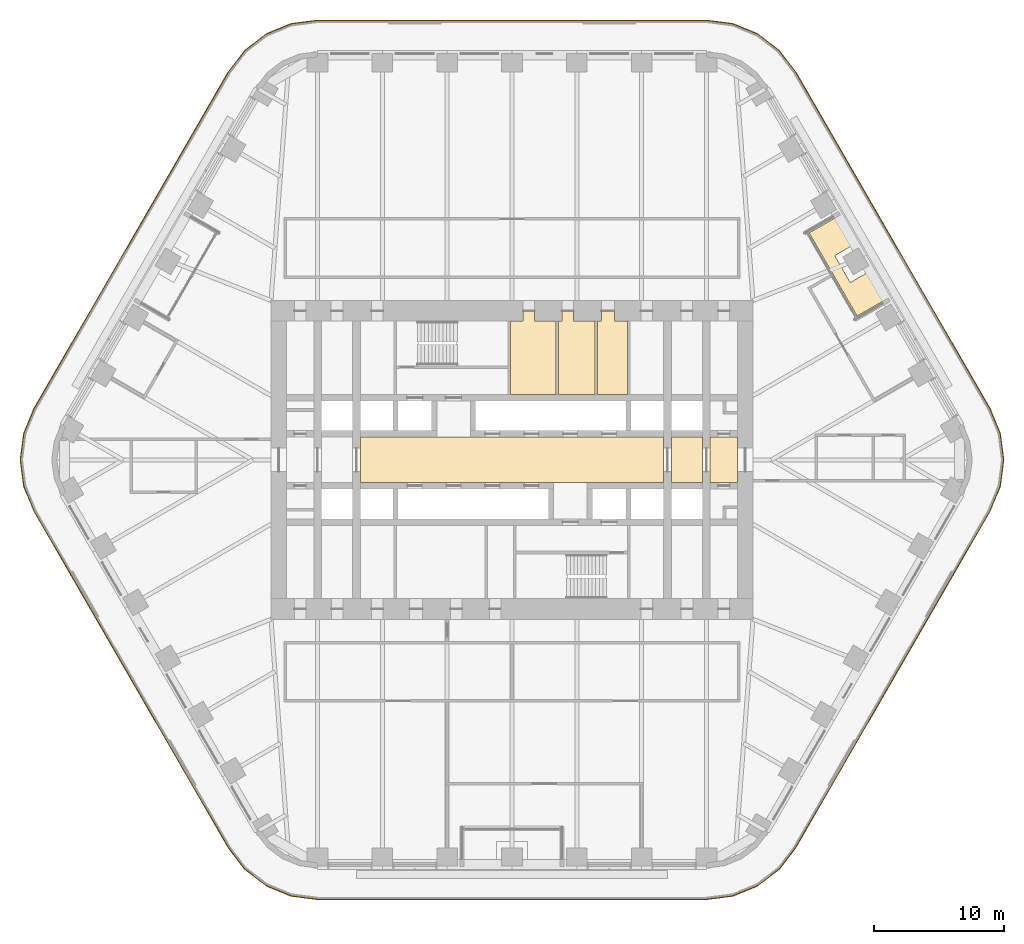
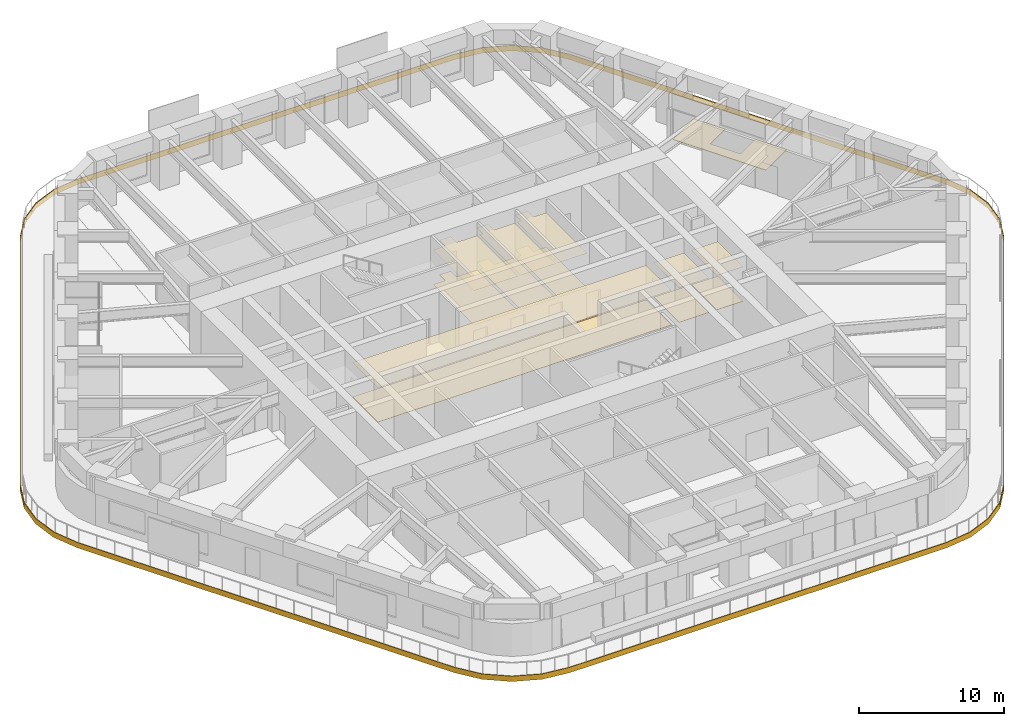
# One storey, part 23 of 24: 14 coverings.
"""IFC4 building model written with IfcOpenShell, lengths in metres."""

from ifc_helpers import new_model, si_unit, direction, frame, origin, place, context, subcontext, project, spatial, polyline, outline, extrude, material, layer, layer_set, type_object, element, save


model = new_model("IFC4")

# Units and contexts
model_context = context("Model", 3, precision=1e-05, world=origin(), true_north=direction((0.0, 1.0)))
body_context = subcontext(model_context, "Body", "Model", "MODEL_VIEW")
ifc_project = project(units=[si_unit("LENGTHUNIT", "METRE"), si_unit("AREAUNIT", "SQUARE_METRE"), si_unit("VOLUMEUNIT", "CUBIC_METRE"), si_unit("PLANEANGLEUNIT", "RADIAN"), si_unit("MASSUNIT", "GRAM", prefix="KILO")], contexts=[model_context])

# Site, building, storey
site_placement = place(None, origin())
site = spatial("IfcSite", under=ifc_project, at=site_placement, CompositionType="ELEMENT")
building_placement = place(site_placement, origin())
building = spatial("IfcBuilding", under=site, at=building_placement, Name="Tarfa Lantern Tower", CompositionType="ELEMENT")
storey_placement = place(building_placement, frame((0.0, 0.0, 178.300048828125)))
storey = spatial("IfcBuildingStorey", under=building, at=storey_placement, Name="L40", CompositionType="ELEMENT", Elevation=178.300048828125)

# Coverings
ifc_material_1 = material(Name="Moisture-resistant plasterboard", Category="finish")
ifc_layer_1 = layer(ifc_material_1, 0.014892578125)
ifc_layer_set_1 = layer_set([ifc_layer_1], Name="CL2 MOISTURE-RESISTANT PLASTERBOARD CEILING 15")
covering_type_1 = type_object("IfcCoveringType", Name="CL2 MOISTURE-RESISTANT PLASTERBOARD CEILING 15", PredefinedType="CEILING", material=ifc_layer_set_1)
covering_1_placement = place(storey_placement, frame((0.0, 0.0, 2.89990234375)))
element("IfcCovering", 1, at=covering_1_placement, inside=storey, type_object=covering_type_1, Name="Ceiling L40-09", PredefinedType="CEILING", context=body_context, shape_type="SweptSolid", body=[
    extrude(outline(polyline([(0.85009765625, 10.699951171875), (-0.10009765625, 10.699951171875), (-0.10009765625, 5.050048828125), (3.39990234375, 5.050048828125), (3.39990234375, 10.699951171875), (1.75, 10.699951171875), (1.75, 11.5), (0.85009765625, 11.5), (0.85009765625, 11.5), (0.85009765625, 10.699951171875)])), origin(), (0.0, 0.0, 1.0), 0.01513671875),
])
covering_2_placement = place(storey_placement, frame((0.0, 0.0, 2.89990234375)))
element("IfcCovering", 2, at=covering_2_placement, inside=storey, type_object=covering_type_1, Name="Ceiling L40-10", PredefinedType="CEILING", context=body_context, shape_type="SweptSolid", body=[
    extrude(outline(polyline([(3.60009765625, 5.050048828125), (6.39990234375, 5.050048828125), (6.39990234375, 10.699951171875), (4.75, 10.699951171875), (4.75, 11.5), (3.85009765625, 11.5), (3.85009765625, 10.699951171875), (3.60009765625, 10.699951171875), (3.60009765625, 5.050048828125)])), origin(), (0.0, 0.0, 1.0), 0.01513671875),
])
covering_3_placement = place(storey_placement, frame((0.0, 0.0, 2.89990234375)))
element("IfcCovering", 3, at=covering_3_placement, inside=storey, type_object=covering_type_1, Name="Ceiling L40-11", PredefinedType="CEILING", context=body_context, shape_type="SweptSolid", body=[
    extrude(outline(polyline([(6.60009765625, 5.050048828125), (8.89990234375, 5.050048828125), (8.89990234375, 10.699951171875), (7.89990234375, 10.699951171875), (7.89990234375, 11.5), (6.89990234375, 11.5), (6.89990234375, 10.699951171875), (6.60009765625, 10.699951171875), (6.60009765625, 5.050048828125)])), origin(), (0.0, 0.0, 1.0), 0.01513671875),
])
ifc_material_2 = material(Name="Powder-coated aluminium panel", Category="aluminium")
ifc_layer_2 = layer(ifc_material_2, 0.030029296875)
ifc_layer_set_2 = layer_set([ifc_layer_2], Name="CL3 METAL PANEL CEILING 30")
covering_type_2 = type_object("IfcCoveringType", Name="CL3 METAL PANEL CEILING 30", PredefinedType="CEILING", material=ifc_layer_set_2)
covering_4_placement = place(storey_placement, frame((0.0, 0.0, 2.89990234375)))
element("IfcCovering", 4, at=covering_4_placement, inside=storey, type_object=covering_type_2, Name="Ceiling L40-03", PredefinedType="CEILING", context=body_context, shape_type="SweptSolid", body=[
    extrude(outline(polyline([(-11.699951171875, -1.75), (11.699951171875, -1.75), (11.699951171875, 1.75), (-11.699951171875, 1.75), (-11.699951171875, -1.75)])), origin(), (0.0, 0.0, 1.0), 0.030029296875),
])
covering_5_placement = place(storey_placement, frame((0.0, 0.0, 2.89990234375)))
element("IfcCovering", 5, at=covering_5_placement, inside=storey, type_object=covering_type_2, Name="Ceiling L40-04", PredefinedType="CEILING", context=body_context, shape_type="SweptSolid", body=[
    extrude(outline(polyline([(12.300048828125, -1.75), (14.699951171875, -1.75), (14.699951171875, 1.75), (12.300048828125, 1.75), (12.300048828125, -1.75)])), origin(), (0.0, 0.0, 1.0), 0.030029296875),
])
covering_6_placement = place(storey_placement, frame((0.0, 0.0, 2.89990234375)))
element("IfcCovering", 6, at=covering_6_placement, inside=storey, type_object=covering_type_2, Name="Ceiling L40-05", PredefinedType="CEILING", context=body_context, shape_type="SweptSolid", body=[
    extrude(outline(polyline([(15.300048828125, -1.75), (17.39990234375, -1.75), (17.39990234375, 1.75), (15.300048828125, 1.75), (15.300048828125, -1.75)])), origin(), (0.0, 0.0, 1.0), 0.030029296875),
])
ifc_material_3 = material(Name="Honed limestone flooring", Category="masonry")
ifc_layer_3 = layer(ifc_material_3, 0.030029296875)
ifc_layer_set_3 = layer_set([ifc_layer_3], Name="FL2 STONE FLOORING 30")
covering_type_3 = type_object("IfcCoveringType", Name="FL2 STONE FLOORING 30", PredefinedType="FLOORING", material=ifc_layer_set_3)
covering_7_placement = place(storey_placement, origin())
element("IfcCovering", 7, at=covering_7_placement, inside=storey, type_object=covering_type_3, Name="Floor finish L40-03", PredefinedType="FLOORING", context=body_context, shape_type="SweptSolid", body=[
    extrude(outline(polyline([(-11.699951171875, -1.75), (11.699951171875, -1.75), (11.699951171875, 1.75), (-11.699951171875, 1.75), (-11.699951171875, -1.75)])), origin(), (0.0, 0.0, 1.0), 0.030029296875),
])
covering_8_placement = place(storey_placement, origin())
element("IfcCovering", 8, at=covering_8_placement, inside=storey, type_object=covering_type_3, Name="Floor finish L40-04", PredefinedType="FLOORING", context=body_context, shape_type="SweptSolid", body=[
    extrude(outline(polyline([(12.300048828125, -1.75), (14.699951171875, -1.75), (14.699951171875, 1.75), (12.300048828125, 1.75), (12.300048828125, -1.75)])), origin(), (0.0, 0.0, 1.0), 0.030029296875),
])
covering_9_placement = place(storey_placement, origin())
element("IfcCovering", 9, at=covering_9_placement, inside=storey, type_object=covering_type_3, Name="Floor finish L40-05", PredefinedType="FLOORING", context=body_context, shape_type="SweptSolid", body=[
    extrude(outline(polyline([(15.300048828125, -1.75), (17.39990234375, -1.75), (17.39990234375, 1.75), (15.300048828125, 1.75), (15.300048828125, -1.75)])), origin(), (0.0, 0.0, 1.0), 0.030029296875),
])
ifc_material_4 = material(Name="Porcelain floor tile", Category="finish")
ifc_layer_4 = layer(ifc_material_4, 0.011962890625)
ifc_layer_set_4 = layer_set([ifc_layer_4], Name="FL3 CERAMIC TILE 12")
covering_type_4 = type_object("IfcCoveringType", Name="FL3 CERAMIC TILE 12", PredefinedType="FLOORING", material=ifc_layer_set_4)
covering_10_placement = place(storey_placement, origin())
element("IfcCovering", 10, at=covering_10_placement, inside=storey, type_object=covering_type_4, Name="Floor finish L40-09", PredefinedType="FLOORING", context=body_context, shape_type="SweptSolid", body=[
    extrude(outline(polyline([(0.85009765625, 10.699951171875), (-0.10009765625, 10.699951171875), (-0.10009765625, 5.050048828125), (3.39990234375, 5.050048828125), (3.39990234375, 10.699951171875), (1.75, 10.699951171875), (1.75, 11.5), (0.85009765625, 11.5), (0.85009765625, 11.5), (0.85009765625, 10.699951171875)])), origin(), (0.0, 0.0, 1.0), 0.011962890625),
])
covering_11_placement = place(storey_placement, origin())
element("IfcCovering", 11, at=covering_11_placement, inside=storey, type_object=covering_type_4, Name="Floor finish L40-10", PredefinedType="FLOORING", context=body_context, shape_type="SweptSolid", body=[
    extrude(outline(polyline([(3.60009765625, 5.050048828125), (6.39990234375, 5.050048828125), (6.39990234375, 10.699951171875), (4.75, 10.699951171875), (4.75, 11.5), (3.85009765625, 11.5), (3.85009765625, 10.699951171875), (3.60009765625, 10.699951171875), (3.60009765625, 5.050048828125)])), origin(), (0.0, 0.0, 1.0), 0.011962890625),
])
covering_12_placement = place(storey_placement, origin())
element("IfcCovering", 12, at=covering_12_placement, inside=storey, type_object=covering_type_4, Name="Floor finish L40-11", PredefinedType="FLOORING", context=body_context, shape_type="SweptSolid", body=[
    extrude(outline(polyline([(6.60009765625, 5.050048828125), (8.89990234375, 5.050048828125), (8.89990234375, 10.699951171875), (7.89990234375, 10.699951171875), (7.89990234375, 11.5), (6.89990234375, 11.5), (6.89990234375, 10.699951171875), (6.60009765625, 10.699951171875), (6.60009765625, 5.050048828125)])), origin(), (0.0, 0.0, 1.0), 0.011962890625),
])
ifc_material_5 = material(Name="Porcelain pavers on pedestals", Category="ceramic")
ifc_layer_5 = layer(ifc_material_5, 0.0400390625)
ifc_layer_set_5 = layer_set([ifc_layer_5], Name="LP1 LOGGIA PAVING 40")
covering_type_5 = type_object("IfcCoveringType", Name="LP1 LOGGIA PAVING 40", PredefinedType="FLOORING", material=ifc_layer_set_5)
covering_13_placement = place(storey_placement, origin())
element("IfcCovering", 13, at=covering_13_placement, inside=storey, type_object=covering_type_5, Name="Loggia paving NE", PredefinedType="FLOORING", context=body_context, shape_type="SweptSolid", body=[
    extrude(outline(polyline([(29.131591796875, 12.54248046875), (26.637451171875, 11.1025390625), (22.933837890625, 17.517578125), (25.427978515625, 18.95751953125), (26.6796875, 16.789306640625), (24.904541015625, 15.76416015625), (26.1044921875, 13.685791015625), (27.8798828125, 14.710693359375), (29.131591796875, 12.54248046875)])), origin(), (0.0, 0.0, 1.0), 0.0400390625),
])
ifc_material_6 = material(Name="Limestone cladding on brackets", Category="masonry")
ifc_layer_6 = layer(ifc_material_6, 0.050048828125)
ifc_layer_set_6 = layer_set([ifc_layer_6], Name="SB1 STONE BAND CLADDING 50")
covering_type_6 = type_object("IfcCoveringType", Name="SB1 STONE BAND CLADDING 50", PredefinedType="CLADDING", material=ifc_layer_set_6)
covering_14_placement = place(storey_placement, frame((0.0, 0.0, -0.400146484375)))
element("IfcCovering", 14, at=covering_14_placement, inside=storey, type_object=covering_type_6, Name="Stone band", PredefinedType="CLADDING", context=body_context, shape_type="SweptSolid", body=[
    extrude(outline(polyline([(36.9072265625, 3.97509765625), (21.89599609375, 29.97509765625), (20.632568359375, 31.62158203125), (18.986083984375, 32.885009765625), (17.068603515625, 33.67919921875), (15.010986328125, 33.949951171875), (-15.010986328125, 33.949951171875), (-17.068603515625, 33.67919921875), (-18.986083984375, 32.885009765625), (-20.632568359375, 31.62158203125), (-21.89599609375, 29.97509765625), (-36.9072265625, 3.97509765625), (-37.701416015625, 2.0576171875), (-37.97216796875, 0.0), (-37.701416015625, -2.0576171875), (-36.9072265625, -3.97509765625), (-21.89599609375, -29.97509765625), (-20.632568359375, -31.62158203125), (-18.986083984375, -32.885009765625), (-17.068603515625, -33.67919921875), (-15.010986328125, -33.949951171875), (15.010986328125, -33.949951171875), (17.068603515625, -33.67919921875), (18.986083984375, -32.885009765625), (20.632568359375, -31.62158203125), (21.89599609375, -29.97509765625), (36.9072265625, -3.97509765625), (37.701416015625, -2.0576171875), (37.97216796875, 0.0), (37.701416015625, 2.0576171875), (36.9072265625, 3.97509765625)]), holes=[polyline([(36.86376953125, 3.949951171875), (21.852783203125, 29.949951171875), (20.59716796875, 31.586181640625), (18.961181640625, 32.841552734375), (17.0556640625, 33.630859375), (15.010986328125, 33.89990234375), (-15.010986328125, 33.89990234375), (-17.0556640625, 33.630859375), (-18.961181640625, 32.841552734375), (-20.59716796875, 31.586181640625), (-21.852783203125, 29.949951171875), (-36.86376953125, 3.949951171875), (-37.653076171875, 2.044677734375), (-37.922119140625, 0.0), (-37.653076171875, -2.044677734375), (-36.86376953125, -3.949951171875), (-21.852783203125, -29.949951171875), (-20.59716796875, -31.586181640625), (-18.961181640625, -32.841552734375), (-17.0556640625, -33.630859375), (-15.010986328125, -33.89990234375), (15.010986328125, -33.89990234375), (17.0556640625, -33.630859375), (18.961181640625, -32.841552734375), (20.59716796875, -31.586181640625), (21.852783203125, -29.949951171875), (36.86376953125, -3.949951171875), (37.653076171875, -2.044677734375), (37.922119140625, 0.0), (37.653076171875, 2.044677734375), (36.86376953125, 3.949951171875)])]), origin(), (0.0, 0.0, 1.0), 0.4501953125),
])

save(model, "model.ifc")
